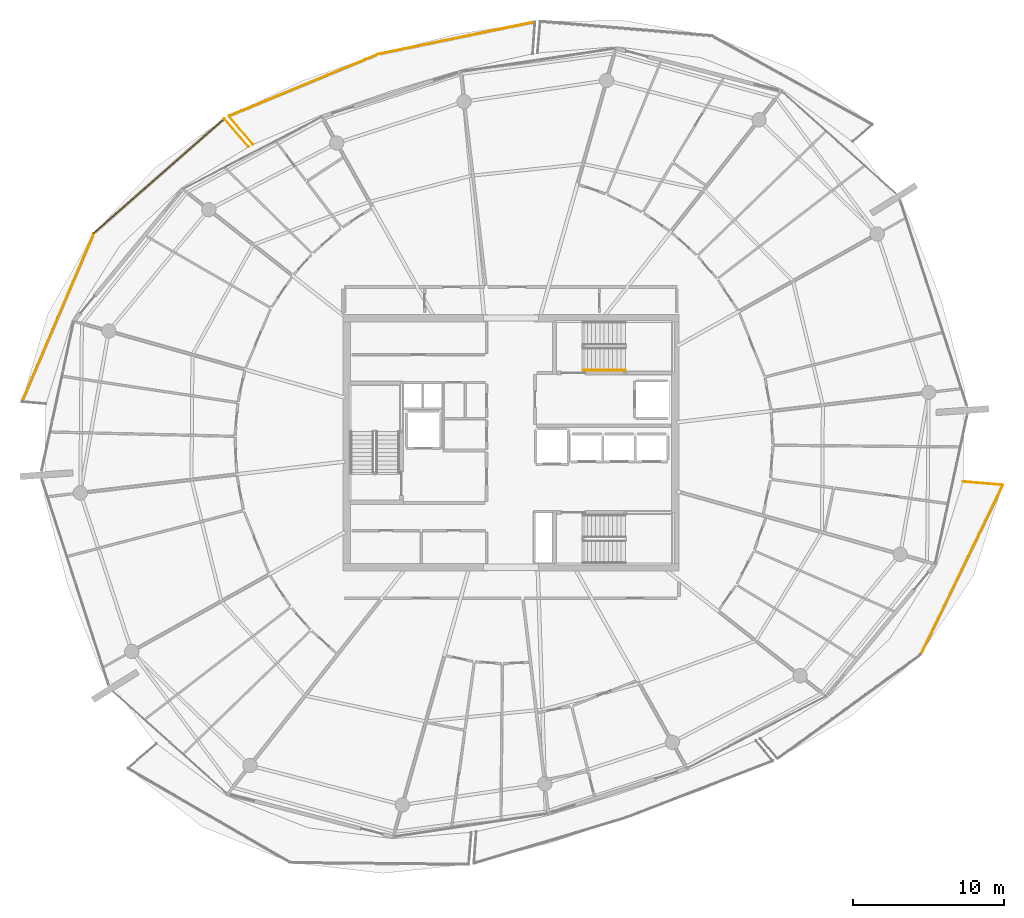
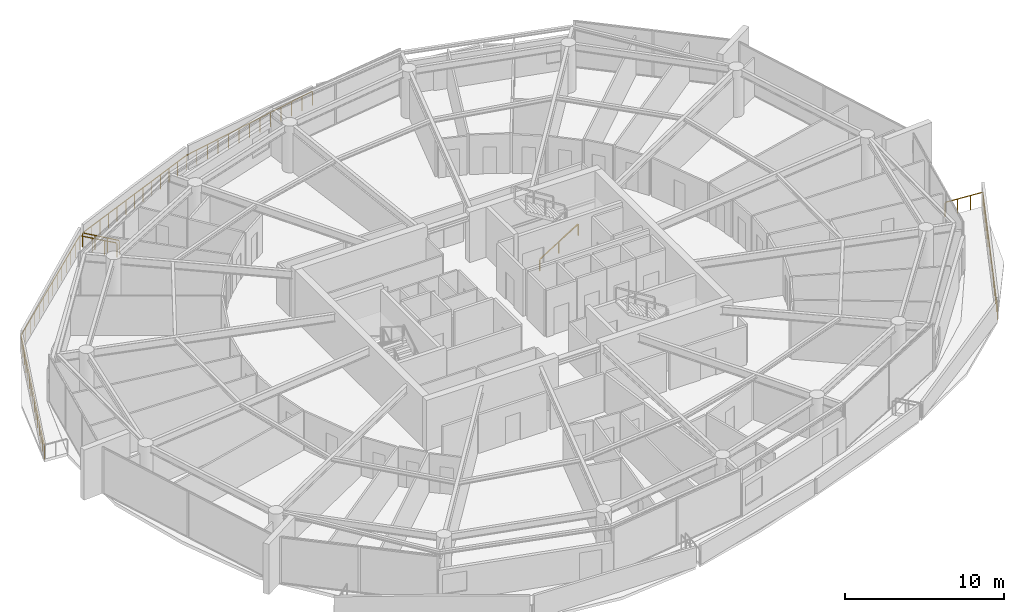
# One storey, part 29 of 31: 9 railings.
"""IFC4 building model written with IfcOpenShell, lengths in metres."""

from ifc_helpers import new_model, si_unit, direction, frame, origin, origin_2d, place, context, subcontext, project, spatial, rectangle, extrude, material, type_object, element, save


model = new_model("IFC4")

# Units and contexts
model_context = context("Model", 3, precision=1e-05, world=origin(), true_north=direction((0.0, 1.0)))
body_context = subcontext(model_context, "Body", "Model", "MODEL_VIEW")
ifc_project = project(units=[si_unit("LENGTHUNIT", "METRE"), si_unit("AREAUNIT", "SQUARE_METRE"), si_unit("VOLUMEUNIT", "CUBIC_METRE"), si_unit("PLANEANGLEUNIT", "RADIAN"), si_unit("MASSUNIT", "GRAM", prefix="KILO")], contexts=[model_context])

# Site, building, storey
site_placement = place(None, origin())
site = spatial("IfcSite", under=ifc_project, at=site_placement, CompositionType="ELEMENT")
building_placement = place(site_placement, origin())
building = spatial("IfcBuilding", under=site, at=building_placement, Name="Kazma Halo Residences", CompositionType="ELEMENT")
storey_placement = place(building_placement, frame((0.0, 0.0, 275.199951171875)))
storey = spatial("IfcBuildingStorey", under=building, at=storey_placement, Name="L69", CompositionType="ELEMENT", Elevation=275.199951171875)

# Railings
ifc_material_1 = material(Name="Aluminium AW-6063 T6 Brushed Cap Rail", Category="aluminium")
railing_type_1 = type_object("IfcRailingType", Name="RLG-BAL-CAP-1120", PredefinedType="BALUSTRADE", material=ifc_material_1)
railing_1_placement = place(storey_placement, frame((50.02099609375, 69.85546875, 0.0)))
element("IfcRailing", 1, at=railing_1_placement, inside=storey, type_object=railing_type_1, Name="L69 NNW wave balcony guard 2", PredefinedType="BALUSTRADE", context=body_context, shape_type="SweptSolid", body=[
    extrude(rectangle(XDim=0.050048828125, YDim=0.050048828125, at=origin_2d()), frame((-0.041748046875, -0.008544921875, 1.09521484375), z_axis=(-0.979468151895, -0.2015989569, 0.0), x_axis=(0.2015989569, -0.979468151895, 0.0)), (0.0, 0.0, 1.0), 10.51025390625),
    extrude(rectangle(XDim=0.0400390625, YDim=0.0400390625, at=origin_2d()), origin(), (0.0, 0.0, 1.0), 1.05810546875),
    extrude(rectangle(XDim=0.0400390625, YDim=0.0400390625, at=origin_2d()), frame((-0.86474609375, -0.177978515625, 0.0)), (0.0, 0.0, 1.0), 1.05810546875),
    extrude(rectangle(XDim=0.0400390625, YDim=0.0400390625, at=origin_2d()), frame((-1.7294921875, -0.35595703125, 0.0)), (0.0, 0.0, 1.0), 1.05810546875),
    extrude(rectangle(XDim=0.0400390625, YDim=0.0400390625, at=origin_2d()), frame((-2.594482421875, -0.533935546875, 0.0)), (0.0, 0.0, 1.0), 1.05810546875),
    extrude(rectangle(XDim=0.0400390625, YDim=0.0400390625, at=origin_2d()), frame((-3.459228515625, -0.7119140625, 0.0)), (0.0, 0.0, 1.0), 1.05810546875),
    extrude(rectangle(XDim=0.0400390625, YDim=0.0400390625, at=origin_2d()), frame((-4.323974609375, -0.889892578125, 0.0)), (0.0, 0.0, 1.0), 1.05810546875),
    extrude(rectangle(XDim=0.0400390625, YDim=0.0400390625, at=origin_2d()), frame((-5.18896484375, -1.06787109375, 0.0)), (0.0, 0.0, 1.0), 1.05810546875),
    extrude(rectangle(XDim=0.0400390625, YDim=0.0400390625, at=origin_2d()), frame((-6.0537109375, -1.24609375, 0.0)), (0.0, 0.0, 1.0), 1.05810546875),
    extrude(rectangle(XDim=0.0400390625, YDim=0.0400390625, at=origin_2d()), frame((-6.91845703125, -1.424072265625, 0.0)), (0.0, 0.0, 1.0), 1.05810546875),
    extrude(rectangle(XDim=0.0400390625, YDim=0.0400390625, at=origin_2d()), frame((-7.783203125, -1.60205078125, 0.0)), (0.0, 0.0, 1.0), 1.05810546875),
    extrude(rectangle(XDim=0.0400390625, YDim=0.0400390625, at=origin_2d()), frame((-8.64794921875, -1.780029296875, 0.0)), (0.0, 0.0, 1.0), 1.05810546875),
    extrude(rectangle(XDim=0.0400390625, YDim=0.0400390625, at=origin_2d()), frame((-9.512939453125, -1.9580078125, 0.0)), (0.0, 0.0, 1.0), 1.05810546875),
    extrude(rectangle(XDim=0.0400390625, YDim=0.0400390625, at=origin_2d()), frame((-10.377685546875, -2.135986328125, 0.0)), (0.0, 0.0, 1.0), 1.05810546875),
])
railing_2_placement = place(storey_placement, frame((39.643310546875, 67.719482421875, 0.0)))
element("IfcRailing", 2, at=railing_2_placement, inside=storey, type_object=railing_type_1, Name="L69 NNW wave balcony guard 3", PredefinedType="BALUSTRADE", context=body_context, shape_type="SweptSolid", body=[
    extrude(rectangle(XDim=0.050048828125, YDim=0.050048828125, at=origin_2d()), frame((-0.039306640625, -0.016357421875, 1.09521484375), z_axis=(-0.923952054483, -0.382508301892, 0.0), x_axis=(0.382508301892, -0.923952054483, 0.0)), (0.0, 0.0, 1.0), 10.615478515625),
    extrude(rectangle(XDim=0.0400390625, YDim=0.0400390625, at=origin_2d()), origin(), (0.0, 0.0, 1.0), 1.05810546875),
    extrude(rectangle(XDim=0.0400390625, YDim=0.0400390625, at=origin_2d()), frame((-0.823974609375, -0.341064453125, 0.0)), (0.0, 0.0, 1.0), 1.05810546875),
    extrude(rectangle(XDim=0.0400390625, YDim=0.0400390625, at=origin_2d()), frame((-1.647705078125, -0.68212890625, 0.0)), (0.0, 0.0, 1.0), 1.05810546875),
    extrude(rectangle(XDim=0.0400390625, YDim=0.0400390625, at=origin_2d()), frame((-2.4716796875, -1.023193359375, 0.0)), (0.0, 0.0, 1.0), 1.05810546875),
    extrude(rectangle(XDim=0.0400390625, YDim=0.0400390625, at=origin_2d()), frame((-3.295654296875, -1.3642578125, 0.0)), (0.0, 0.0, 1.0), 1.05810546875),
    extrude(rectangle(XDim=0.0400390625, YDim=0.0400390625, at=origin_2d()), frame((-4.119384765625, -1.705322265625, 0.0)), (0.0, 0.0, 1.0), 1.05810546875),
    extrude(rectangle(XDim=0.0400390625, YDim=0.0400390625, at=origin_2d()), frame((-4.943359375, -2.04638671875, 0.0)), (0.0, 0.0, 1.0), 1.05810546875),
    extrude(rectangle(XDim=0.0400390625, YDim=0.0400390625, at=origin_2d()), frame((-5.767333984375, -2.3876953125, 0.0)), (0.0, 0.0, 1.0), 1.05810546875),
    extrude(rectangle(XDim=0.0400390625, YDim=0.0400390625, at=origin_2d()), frame((-6.591064453125, -2.728759765625, 0.0)), (0.0, 0.0, 1.0), 1.05810546875),
    extrude(rectangle(XDim=0.0400390625, YDim=0.0400390625, at=origin_2d()), frame((-7.4150390625, -3.06982421875, 0.0)), (0.0, 0.0, 1.0), 1.05810546875),
    extrude(rectangle(XDim=0.0400390625, YDim=0.0400390625, at=origin_2d()), frame((-8.239013671875, -3.410888671875, 0.0)), (0.0, 0.0, 1.0), 1.05810546875),
    extrude(rectangle(XDim=0.0400390625, YDim=0.0400390625, at=origin_2d()), frame((-9.062744140625, -3.751953125, 0.0)), (0.0, 0.0, 1.0), 1.05810546875),
    extrude(rectangle(XDim=0.0400390625, YDim=0.0400390625, at=origin_2d()), frame((-9.88671875, -4.093017578125, 0.0)), (0.0, 0.0, 1.0), 1.05810546875),
])
railing_3_placement = place(storey_placement, frame((29.756591796875, 63.62646484375, 0.0)))
element("IfcRailing", 3, at=railing_3_placement, inside=storey, type_object=railing_type_1, Name="L69 NNW wave balcony guard 4", PredefinedType="BALUSTRADE", context=body_context, shape_type="SweptSolid", body=[
    extrude(rectangle(XDim=0.050048828125, YDim=0.050048828125, at=origin_2d()), frame((0.02734375, -0.032470703125, 1.09521484375), z_axis=(0.644811625636, -0.764341525396, 0.0), x_axis=(0.764341525396, 0.644811625636, 0.0)), (0.0, 0.0, 1.0), 2.39453125),
    extrude(rectangle(XDim=0.0400390625, YDim=0.0400390625, at=origin_2d()), origin(), (0.0, 0.0, 1.0), 1.05810546875),
    extrude(rectangle(XDim=0.0400390625, YDim=0.0400390625, at=origin_2d()), frame((0.532958984375, -0.6318359375, 0.0)), (0.0, 0.0, 1.0), 1.05810546875),
    extrude(rectangle(XDim=0.0400390625, YDim=0.0400390625, at=origin_2d()), frame((1.06591796875, -1.263427734375, 0.0)), (0.0, 0.0, 1.0), 1.05810546875),
    extrude(rectangle(XDim=0.0400390625, YDim=0.0400390625, at=origin_2d()), frame((1.598876953125, -1.895263671875, 0.0)), (0.0, 0.0, 1.0), 1.05810546875),
])
railing_4_placement = place(storey_placement, frame((31.06787109375, 61.58154296875, 0.0)))
element("IfcRailing", 4, at=railing_4_placement, inside=storey, type_object=railing_type_1, Name="L69 NW wave balcony guard 1", PredefinedType="BALUSTRADE", context=body_context, shape_type="SweptSolid", body=[
    extrude(rectangle(XDim=0.050048828125, YDim=0.050048828125, at=origin_2d()), frame((-0.02783203125, 0.0322265625, 1.09521484375), z_axis=(-0.654072490965, 0.756431871726, 0.0), x_axis=(-0.756431871726, -0.654072490965, 0.0)), (0.0, 0.0, 1.0), 2.385986328125),
    extrude(rectangle(XDim=0.0400390625, YDim=0.0400390625, at=origin_2d()), origin(), (0.0, 0.0, 1.0), 1.05810546875),
    extrude(rectangle(XDim=0.0400390625, YDim=0.0400390625, at=origin_2d()), frame((-0.538818359375, 0.623046875, 0.0)), (0.0, 0.0, 1.0), 1.05810546875),
    extrude(rectangle(XDim=0.0400390625, YDim=0.0400390625, at=origin_2d()), frame((-1.077392578125, 1.24609375, 0.0)), (0.0, 0.0, 1.0), 1.05810546875),
    extrude(rectangle(XDim=0.0400390625, YDim=0.0400390625, at=origin_2d()), frame((-1.6162109375, 1.869140625, 0.0)), (0.0, 0.0, 1.0), 1.05810546875),
])
railing_5_placement = place(storey_placement, frame((29.45166015625, 63.45068359375, 0.0)))
element("IfcRailing", 5, at=railing_5_placement, inside=storey, type_object=railing_type_1, Name="L69 NW wave balcony guard 2", PredefinedType="BALUSTRADE", context=body_context, shape_type="SweptSolid", body=[
    extrude(rectangle(XDim=0.050048828125, YDim=0.050048828125, at=origin_2d()), frame((-0.031982421875, -0.028076171875, 1.09521484375), z_axis=(-0.750910075064, -0.660404466344, 0.0), x_axis=(0.660404466344, -0.750910075064, 0.0)), (0.0, 0.0, 1.0), 11.419921875),
    extrude(rectangle(XDim=0.0400390625, YDim=0.0400390625, at=origin_2d()), origin(), (0.0, 0.0, 1.0), 1.05810546875),
    extrude(rectangle(XDim=0.0400390625, YDim=0.0400390625, at=origin_2d()), frame((-0.66455078125, -0.58447265625, 0.0)), (0.0, 0.0, 1.0), 1.05810546875),
    extrude(rectangle(XDim=0.0400390625, YDim=0.0400390625, at=origin_2d()), frame((-1.3291015625, -1.1689453125, 0.0)), (0.0, 0.0, 1.0), 1.05810546875),
    extrude(rectangle(XDim=0.0400390625, YDim=0.0400390625, at=origin_2d()), frame((-1.99365234375, -1.75341796875, 0.0)), (0.0, 0.0, 1.0), 1.05810546875),
    extrude(rectangle(XDim=0.0400390625, YDim=0.0400390625, at=origin_2d()), frame((-2.658203125, -2.337890625, 0.0)), (0.0, 0.0, 1.0), 1.05810546875),
    extrude(rectangle(XDim=0.0400390625, YDim=0.0400390625, at=origin_2d()), frame((-3.32275390625, -2.92236328125, 0.0)), (0.0, 0.0, 1.0), 1.05810546875),
    extrude(rectangle(XDim=0.0400390625, YDim=0.0400390625, at=origin_2d()), frame((-3.9873046875, -3.5068359375, 0.0)), (0.0, 0.0, 1.0), 1.05810546875),
    extrude(rectangle(XDim=0.0400390625, YDim=0.0400390625, at=origin_2d()), frame((-4.65185546875, -4.091064453125, 0.0)), (0.0, 0.0, 1.0), 1.05810546875),
    extrude(rectangle(XDim=0.0400390625, YDim=0.0400390625, at=origin_2d()), frame((-5.31640625, -4.675537109375, 0.0)), (0.0, 0.0, 1.0), 1.05810546875),
    extrude(rectangle(XDim=0.0400390625, YDim=0.0400390625, at=origin_2d()), frame((-5.98095703125, -5.260009765625, 0.0)), (0.0, 0.0, 1.0), 1.05810546875),
    extrude(rectangle(XDim=0.0400390625, YDim=0.0400390625, at=origin_2d()), frame((-6.6455078125, -5.844482421875, 0.0)), (0.0, 0.0, 1.0), 1.05810546875),
    extrude(rectangle(XDim=0.0400390625, YDim=0.0400390625, at=origin_2d()), frame((-7.31005859375, -6.428955078125, 0.0)), (0.0, 0.0, 1.0), 1.05810546875),
    extrude(rectangle(XDim=0.0400390625, YDim=0.0400390625, at=origin_2d()), frame((-7.974609375, -7.013427734375, 0.0)), (0.0, 0.0, 1.0), 1.05810546875),
    extrude(rectangle(XDim=0.0400390625, YDim=0.0400390625, at=origin_2d()), frame((-8.63916015625, -7.597900390625, 0.0)), (0.0, 0.0, 1.0), 1.05810546875),
])
railing_6_placement = place(storey_placement, frame((20.8125, 55.852783203125, 0.0)))
element("IfcRailing", 6, at=railing_6_placement, inside=storey, type_object=railing_type_1, Name="L69 NW wave balcony guard 3", PredefinedType="BALUSTRADE", context=body_context, shape_type="SweptSolid", body=[
    extrude(rectangle(XDim=0.050048828125, YDim=0.050048828125, at=origin_2d()), frame((-0.0166015625, -0.0390625, 1.09521484375), z_axis=(-0.392707796249, -0.91966330076, 0.0), x_axis=(0.91966330076, -0.392707796249, 0.0)), (0.0, 0.0, 1.0), 12.0302734375),
    extrude(rectangle(XDim=0.0400390625, YDim=0.0400390625, at=origin_2d()), origin(), (0.0, 0.0, 1.0), 1.05810546875),
    extrude(rectangle(XDim=0.0400390625, YDim=0.0400390625, at=origin_2d()), frame((-0.33984375, -0.7958984375, 0.0)), (0.0, 0.0, 1.0), 1.05810546875),
    extrude(rectangle(XDim=0.0400390625, YDim=0.0400390625, at=origin_2d()), frame((-0.6796875, -1.591796875, 0.0)), (0.0, 0.0, 1.0), 1.05810546875),
    extrude(rectangle(XDim=0.0400390625, YDim=0.0400390625, at=origin_2d()), frame((-1.01953125, -2.3876953125, 0.0)), (0.0, 0.0, 1.0), 1.05810546875),
    extrude(rectangle(XDim=0.0400390625, YDim=0.0400390625, at=origin_2d()), frame((-1.359375, -3.183349609375, 0.0)), (0.0, 0.0, 1.0), 1.05810546875),
    extrude(rectangle(XDim=0.0400390625, YDim=0.0400390625, at=origin_2d()), frame((-1.69921875, -3.979248046875, 0.0)), (0.0, 0.0, 1.0), 1.05810546875),
    extrude(rectangle(XDim=0.0400390625, YDim=0.0400390625, at=origin_2d()), frame((-2.0390625, -4.775146484375, 0.0)), (0.0, 0.0, 1.0), 1.05810546875),
    extrude(rectangle(XDim=0.0400390625, YDim=0.0400390625, at=origin_2d()), frame((-2.37890625, -5.571044921875, 0.0)), (0.0, 0.0, 1.0), 1.05810546875),
    extrude(rectangle(XDim=0.0400390625, YDim=0.0400390625, at=origin_2d()), frame((-2.71875, -6.366943359375, 0.0)), (0.0, 0.0, 1.0), 1.05810546875),
    extrude(rectangle(XDim=0.0400390625, YDim=0.0400390625, at=origin_2d()), frame((-3.05859375, -7.162841796875, 0.0)), (0.0, 0.0, 1.0), 1.05810546875),
    extrude(rectangle(XDim=0.0400390625, YDim=0.0400390625, at=origin_2d()), frame((-3.3984375, -7.958740234375, 0.0)), (0.0, 0.0, 1.0), 1.05810546875),
    extrude(rectangle(XDim=0.0400390625, YDim=0.0400390625, at=origin_2d()), frame((-3.73828125, -8.75439453125, 0.0)), (0.0, 0.0, 1.0), 1.05810546875),
    extrude(rectangle(XDim=0.0400390625, YDim=0.0400390625, at=origin_2d()), frame((-4.078125, -9.55029296875, 0.0)), (0.0, 0.0, 1.0), 1.05810546875),
    extrude(rectangle(XDim=0.0400390625, YDim=0.0400390625, at=origin_2d()), frame((-4.41796875, -10.34619140625, 0.0)), (0.0, 0.0, 1.0), 1.05810546875),
    extrude(rectangle(XDim=0.0400390625, YDim=0.0400390625, at=origin_2d()), frame((-4.7578125, -11.14208984375, 0.0)), (0.0, 0.0, 1.0), 1.05810546875),
])
railing_7_placement = place(storey_placement, frame((75.5419921875, 27.966552734375, 0.0)))
element("IfcRailing", 7, at=railing_7_placement, inside=storey, type_object=railing_type_1, Name="L69 SE wave balcony guard 3", PredefinedType="BALUSTRADE", context=body_context, shape_type="SweptSolid", body=[
    extrude(rectangle(XDim=0.050048828125, YDim=0.050048828125, at=origin_2d()), frame((0.0185546875, 0.038330078125, 1.09521484375), z_axis=(0.435770522206, 0.900057804797, 0.0), x_axis=(-0.900057804797, 0.435770522206, 0.0)), (0.0, 0.0, 1.0), 12.397216796875),
    extrude(rectangle(XDim=0.0400390625, YDim=0.0400390625, at=origin_2d()), origin(), (0.0, 0.0, 1.0), 1.05810546875),
    extrude(rectangle(XDim=0.0400390625, YDim=0.0400390625, at=origin_2d()), frame((0.388427734375, 0.802490234375, 0.0)), (0.0, 0.0, 1.0), 1.05810546875),
    extrude(rectangle(XDim=0.0400390625, YDim=0.0400390625, at=origin_2d()), frame((0.777099609375, 1.60498046875, 0.0)), (0.0, 0.0, 1.0), 1.05810546875),
    extrude(rectangle(XDim=0.0400390625, YDim=0.0400390625, at=origin_2d()), frame((1.16552734375, 2.407470703125, 0.0)), (0.0, 0.0, 1.0), 1.05810546875),
    extrude(rectangle(XDim=0.0400390625, YDim=0.0400390625, at=origin_2d()), frame((1.55419921875, 3.2099609375, 0.0)), (0.0, 0.0, 1.0), 1.05810546875),
    extrude(rectangle(XDim=0.0400390625, YDim=0.0400390625, at=origin_2d()), frame((1.942626953125, 4.012451171875, 0.0)), (0.0, 0.0, 1.0), 1.05810546875),
    extrude(rectangle(XDim=0.0400390625, YDim=0.0400390625, at=origin_2d()), frame((2.331298828125, 4.81494140625, 0.0)), (0.0, 0.0, 1.0), 1.05810546875),
    extrude(rectangle(XDim=0.0400390625, YDim=0.0400390625, at=origin_2d()), frame((2.7197265625, 5.617431640625, 0.0)), (0.0, 0.0, 1.0), 1.05810546875),
    extrude(rectangle(XDim=0.0400390625, YDim=0.0400390625, at=origin_2d()), frame((3.108154296875, 6.419921875, 0.0)), (0.0, 0.0, 1.0), 1.05810546875),
    extrude(rectangle(XDim=0.0400390625, YDim=0.0400390625, at=origin_2d()), frame((3.496826171875, 7.222412109375, 0.0)), (0.0, 0.0, 1.0), 1.05810546875),
    extrude(rectangle(XDim=0.0400390625, YDim=0.0400390625, at=origin_2d()), frame((3.88525390625, 8.02490234375, 0.0)), (0.0, 0.0, 1.0), 1.05810546875),
    extrude(rectangle(XDim=0.0400390625, YDim=0.0400390625, at=origin_2d()), frame((4.27392578125, 8.827392578125, 0.0)), (0.0, 0.0, 1.0), 1.05810546875),
    extrude(rectangle(XDim=0.0400390625, YDim=0.0400390625, at=origin_2d()), frame((4.662353515625, 9.6298828125, 0.0)), (0.0, 0.0, 1.0), 1.05810546875),
    extrude(rectangle(XDim=0.0400390625, YDim=0.0400390625, at=origin_2d()), frame((5.051025390625, 10.432373046875, 0.0)), (0.0, 0.0, 1.0), 1.05810546875),
    extrude(rectangle(XDim=0.0400390625, YDim=0.0400390625, at=origin_2d()), frame((5.439453125, 11.23486328125, 0.0)), (0.0, 0.0, 1.0), 1.05810546875),
])
railing_8_placement = place(storey_placement, frame((80.9814453125, 39.201416015625, 0.0)))
element("IfcRailing", 8, at=railing_8_placement, inside=storey, type_object=railing_type_1, Name="L69 SE wave balcony guard 4", PredefinedType="BALUSTRADE", context=body_context, shape_type="SweptSolid", body=[
    extrude(rectangle(XDim=0.050048828125, YDim=0.050048828125, at=origin_2d()), frame((-0.04248046875, 0.003662109375, 1.09521484375), z_axis=(-0.996415768752, 0.084590872927, 0.0), x_axis=(-0.084590872927, -0.996415768752, 0.0)), (0.0, 0.0, 1.0), 2.5556640625),
    extrude(rectangle(XDim=0.0400390625, YDim=0.0400390625, at=origin_2d()), origin(), (0.0, 0.0, 1.0), 1.05810546875),
    extrude(rectangle(XDim=0.0400390625, YDim=0.0400390625, at=origin_2d()), frame((-0.877197265625, 0.074462890625, 0.0)), (0.0, 0.0, 1.0), 1.05810546875),
    extrude(rectangle(XDim=0.0400390625, YDim=0.0400390625, at=origin_2d()), frame((-1.754150390625, 0.14892578125, 0.0)), (0.0, 0.0, 1.0), 1.05810546875),
    extrude(rectangle(XDim=0.0400390625, YDim=0.0400390625, at=origin_2d()), frame((-2.63134765625, 0.223388671875, 0.0)), (0.0, 0.0, 1.0), 1.05810546875),
])
ifc_material_2 = material(Name="Brushed Stainless Steel", Category="steel")
railing_type_2 = type_object("IfcRailingType", Name="RLG-STAIR-HND-900", PredefinedType="HANDRAIL", material=ifc_material_2)
railing_9_placement = place(storey_placement, frame((53.199951171875, 46.800048828125, 0.175048828125)))
element("IfcRailing", 9, at=railing_9_placement, inside=storey, type_object=railing_type_2, Name="L69 ST-02 stair handrail 1", PredefinedType="HANDRAIL", context=body_context, shape_type="SweptSolid", body=[
    extrude(rectangle(XDim=0.050048828125, YDim=0.050048828125, at=origin_2d()), frame((0.0361328125, 0.0, 0.8974609375), z_axis=(0.848002457836, 0.0, 0.529992293815), x_axis=(0.0, 1.0, 0.0)), (0.0, 0.0, 1.0), 3.216796875),
    extrude(rectangle(XDim=0.0400390625, YDim=0.0400390625, at=origin_2d()), origin(), (0.0, 0.0, 1.0), 0.837890625),
    extrude(rectangle(XDim=0.0400390625, YDim=0.0400390625, at=origin_2d()), frame((1.39990234375, 0.0, 0.875)), (0.0, 0.0, 1.0), 0.837890625),
    extrude(rectangle(XDim=0.0400390625, YDim=0.0400390625, at=origin_2d()), frame((2.800048828125, 0.0, 1.75)), (0.0, 0.0, 1.0), 0.837890625),
])

save(model, "model.ifc")
